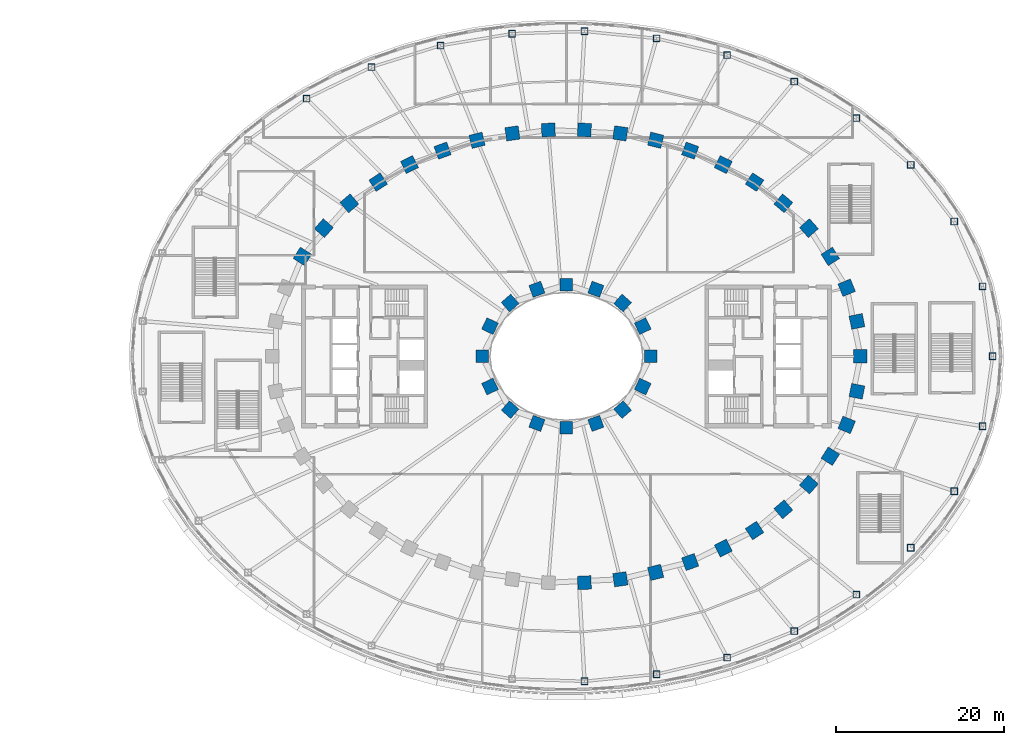
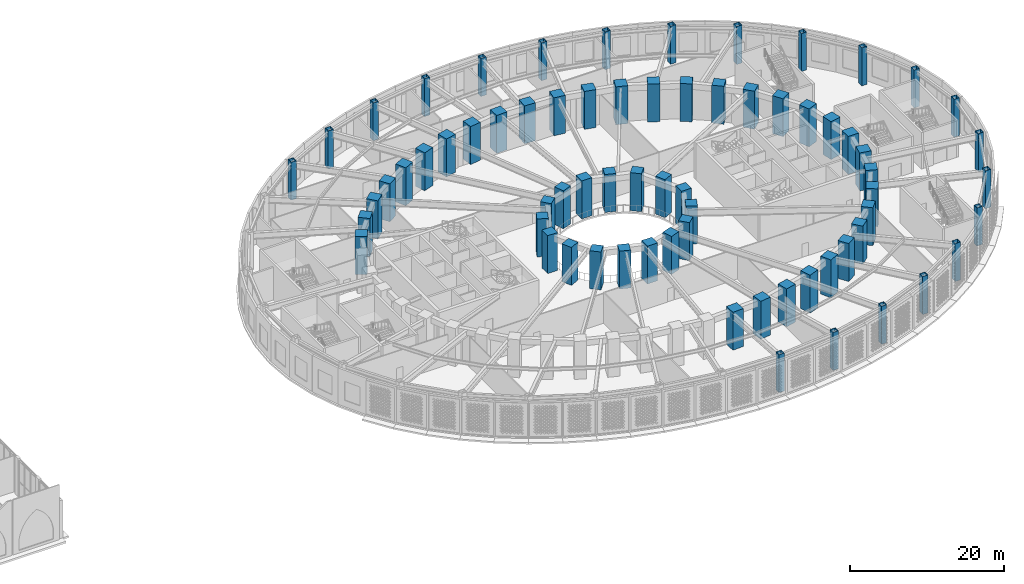
# One storey, part 5 of 74: 69 columns.
"""IFC4 building model written with IfcOpenShell, lengths in metres."""

from ifc_helpers import new_model, si_unit, direction, frame, origin, origin_2d, place, context, subcontext, project, spatial, rectangle, hollow_rectangle, extrude, material, material_profile, profile_set, type_object, element, save


model = new_model("IFC4")

# Units and contexts
model_context = context("Model", 3, precision=1e-05, world=origin(), true_north=direction((0.0, 1.0)))
body_context = subcontext(model_context, "Body", "Model", "MODEL_VIEW")
ifc_project = project(units=[si_unit("LENGTHUNIT", "METRE"), si_unit("AREAUNIT", "SQUARE_METRE"), si_unit("VOLUMEUNIT", "CUBIC_METRE"), si_unit("PLANEANGLEUNIT", "RADIAN"), si_unit("MASSUNIT", "GRAM", prefix="KILO")], contexts=[model_context])

# Site, building, storey
site_placement = place(None, origin())
site = spatial("IfcSite", under=ifc_project, at=site_placement, CompositionType="ELEMENT")
building_placement = place(site_placement, origin())
building = spatial("IfcBuilding", under=site, at=building_placement, Name="Noorbagh Ring Tower", CompositionType="ELEMENT")
storey_placement = place(building_placement, frame((0.0, 0.0, 13.5)))
storey = spatial("IfcBuildingStorey", under=building, at=storey_placement, Name="L02", CompositionType="ELEMENT", Elevation=13.5)

# Columns
ifc_material_1 = material(Name="Steel S355", Category="steel")
ifc_material_profile_1 = material_profile(ifc_material_1, hollow_rectangle(XDim=0.800048828125, YDim=0.800048828125, WallThickness=0.0400390625, at=origin_2d()), Name="BOX800x800x40")
ifc_profile_set_1 = profile_set([ifc_material_profile_1], Name="Steel S355")
column_type_1 = type_object("IfcColumnType", Name="GND-COL-BOX800x800x40", PredefinedType="COLUMN", material=ifc_profile_set_1)
for number, where, z_axis, x_axis, name in (
    (1, (50.646484375, 0.0, 0.0), (0.0, 0.0, 1.0), (1.0, 0.0, 0.0), "L02/col/RP-01"),
    (2, (49.4609375, 8.304443359375, 0.0), (0.0, 0.0, 1.0), (1.0, 0.0, 0.0), "L02/col/RP-02"),
    (3, (46.081298828125, 16.021240234375, 0.0), (0.0, 0.0, 1.0), (1.0, 0.0, 0.0), "L02/col/RP-03"),
    (4, (40.927734375, 22.75, 0.0), (0.0, 0.0, 1.0), (1.0, 0.0, 0.0), "L02/col/RP-04"),
    (5, (34.46484375, 28.306884765625, 0.0), (0.0, 0.0, 1.0), (1.0, 0.0, 0.0), "L02/col/RP-05"),
    (6, (27.0869140625, 32.648193359375, 0.0), (0.0, 0.0, 1.0), (1.0, 0.0, 0.0), "L02/col/RP-06"),
    (7, (19.0966796875, 35.791748046875, 0.0), (0.0, 0.0, 1.0), (1.0, 0.0, 0.0), "L02/col/RP-07"),
    (8, (10.724609375, 37.771240234375, 0.0), (0.0, 0.0, 1.0), (1.0, 0.0, 0.0), "L02/col/RP-08"),
    (9, (2.154541015625, 38.6142578125, 0.0), (0.0, 0.0, 1.0), (1.0, 0.0, 0.0), "L02/col/RP-09"),
    (10, (-6.4541015625, 38.33349609375, 0.0), (0.0, 0.0, 1.0), (1.0, 0.0, 0.0), "L02/col/RP-10"),
    (11, (-14.946044921875, 36.925048828125, 0.0), (0.0, 0.0, 1.0), (1.0, 0.0, 0.0), "L02/col/RP-11"),
    (12, (-23.152587890625, 34.36767578125, 0.0), (0.0, 0.0, 1.0), (1.0, 0.0, 0.0), "L02/col/RP-12"),
    (13, (-30.869384765625, 30.629150390625, 0.0), (0.0, 0.0, 1.0), (1.0, 0.0, 0.0), "L02/col/RP-13"),
    (14, (2.154541015625, -38.6142578125, 0.0), (0.0, 0.0, 1.0), (1.0, 0.0, 0.0), "L02/col/RP-26"),
    (15, (10.724609375, -37.771240234375, 0.0), (0.0, 0.0, 1.0), (1.0, 0.0, 0.0), "L02/col/RP-27"),
    (16, (19.0966796875, -35.791748046875, 0.0), (0.0, 0.0, 1.0), (1.0, 0.0, 0.0), "L02/col/RP-28"),
    (17, (27.0869140625, -32.648193359375, 0.0), (0.0, 0.0, 1.0), (1.0, 0.0, 0.0), "L02/col/RP-29"),
    (18, (34.46484375, -28.306884765625, 0.0), (0.0, 0.0, 1.0), (1.0, 0.0, 0.0), "L02/col/RP-30"),
    (19, (40.927734375, -22.75, 0.0), (0.0, 0.0, 1.0), (1.0, 0.0, 0.0), "L02/col/RP-31"),
    (20, (46.081298828125, -16.021240234375, 0.0), (0.0, 0.0, 1.0), (1.0, 0.0, 0.0), "L02/col/RP-32"),
    (21, (49.4609375, -8.304443359375, 0.0), (0.0, 0.0, 1.0), (1.0, 0.0, 0.0), "L02/col/RP-33"),
):
    element("IfcColumn", number, at=place(storey_placement, frame(where, z_axis=z_axis, x_axis=x_axis)), inside=storey, type_object=column_type_1, Name=name, PredefinedType="COLUMN", context=body_context, shape_type="SweptSolid", body=[
        extrude(hollow_rectangle(XDim=0.800048828125, YDim=0.800048828125, WallThickness=0.0400390625, at=origin_2d()), origin(), (0.0, 0.0, 1.0), 6.0),
    ])
ifc_material_2 = material(Name="Concrete C70/85", Category="concrete")
ifc_material_profile_2 = material_profile(ifc_material_2, rectangle(XDim=1.60009765625, YDim=1.60009765625, at=origin_2d()), Name="RC1600x1600")
ifc_profile_set_2 = profile_set([ifc_material_profile_2], Name="Concrete C70/85")
column_type_2 = type_object("IfcColumnType", Name="STR-COL-RC1600x1600-C70-85", PredefinedType="COLUMN", material=ifc_profile_set_2)
for number, where, z_axis, x_axis, name in (
    (22, (34.944580078125, 0.0, 0.0), (0.0, 0.0, 1.0), (0.0, 1.0, 0.0), "L02/col/R1-01"),
    (23, (34.52685546875, 4.150634765625, 0.0), (0.0, 0.0, 1.0), (-0.19723040178, 0.9803571638, 0.0), "L02/col/R1-02"),
    (24, (33.30517578125, 8.1494140625, 0.0), (0.0, 0.0, 1.0), (-0.378989499959, 0.925400971969, 0.0), "L02/col/R1-03"),
    (25, (31.364990234375, 11.87109375, 0.0), (0.0, 0.0, 1.0), (-0.535190403059, 0.844731455833, 0.0), "L02/col/R1-04"),
    (26, (28.81884765625, 15.23046875, 0.0), (0.0, 0.0, 1.0), (-0.662635642662, 0.748941923699, 0.0), "L02/col/R1-05"),
    (27, (25.78271484375, 18.180419921875, 0.0), (0.0, 0.0, 1.0), (-0.763035199656, 0.646356932419, 0.0), "L02/col/R1-06"),
    (28, (22.362060546875, 20.699951171875, 0.0), (0.0, 0.0, 1.0), (-0.840247639643, 0.542202825586, 0.0), "L02/col/R1-07"),
    (29, (18.646240234375, 22.785400390625, 0.0), (0.0, 0.0, 1.0), (-0.898399080868, 0.439180021741, 0.0), "L02/col/R1-08"),
    (30, (14.70947265625, 24.44091796875, 0.0), (0.0, 0.0, 1.0), (-0.941024726094, 0.338337797003, 0.0), "L02/col/R1-09"),
    (31, (10.61328125, 25.673583984375, 0.0), (0.0, 0.0, 1.0), (-0.970829360981, 0.239771457553, 0.0), "L02/col/R1-10"),
    (32, (6.4091796875, 26.49072265625, 0.0), (0.0, 0.0, 1.0), (-0.989713114048, 0.143066249975, 0.0), "L02/col/R1-11"),
    (33, (2.14306640625, 26.89794921875, 0.0), (0.0, 0.0, 1.0), (-0.998868731212, 0.047552684538, 0.0), "L02/col/R1-12"),
    (34, (-2.14306640625, 26.89794921875, 0.0), (0.0, 0.0, 1.0), (-0.998868731212, -0.047552684538, 0.0), "L02/col/R1-13"),
    (35, (-6.4091796875, 26.49072265625, 0.0), (0.0, 0.0, 1.0), (-0.989713114048, -0.143066249975, 0.0), "L02/col/R1-14"),
    (36, (-10.61328125, 25.673583984375, 0.0), (0.0, 0.0, 1.0), (-0.970829360981, -0.239771457553, 0.0), "L02/col/R1-15"),
    (37, (-14.70947265625, 24.44091796875, 0.0), (0.0, 0.0, 1.0), (-0.941024726094, -0.338337797003, 0.0), "L02/col/R1-16"),
    (38, (-18.646240234375, 22.785400390625, 0.0), (0.0, 0.0, 1.0), (-0.898399080868, -0.439180021741, 0.0), "L02/col/R1-17"),
    (39, (-22.362060546875, 20.699951171875, 0.0), (0.0, 0.0, 1.0), (-0.840247639643, -0.542202825586, 0.0), "L02/col/R1-18"),
    (40, (-25.78271484375, 18.180419921875, 0.0), (0.0, 0.0, 1.0), (-0.763035199656, -0.646356932419, 0.0), "L02/col/R1-19"),
    (41, (-28.81884765625, 15.23046875, 0.0), (0.0, 0.0, 1.0), (-0.662635642662, -0.748941923699, 0.0), "L02/col/R1-20"),
    (42, (-31.364990234375, 11.87109375, 0.0), (0.0, 0.0, 1.0), (-0.535190403059, -0.844731455833, 0.0), "L02/col/R1-21"),
    (43, (2.14306640625, -26.89794921875, 0.0), (0.0, 0.0, 1.0), (0.998868731212, 0.047552684538, 0.0), "L02/col/R1-36"),
    (44, (6.4091796875, -26.49072265625, 0.0), (0.0, 0.0, 1.0), (0.989713114048, 0.143066249975, 0.0), "L02/col/R1-37"),
    (45, (10.61328125, -25.673583984375, 0.0), (0.0, 0.0, 1.0), (0.970829360981, 0.239771457553, 0.0), "L02/col/R1-38"),
    (46, (14.70947265625, -24.44091796875, 0.0), (0.0, 0.0, 1.0), (0.941024726094, 0.338337797003, 0.0), "L02/col/R1-39"),
    (47, (18.646240234375, -22.785400390625, 0.0), (0.0, 0.0, 1.0), (0.898399080868, 0.439180021741, 0.0), "L02/col/R1-40"),
    (48, (22.362060546875, -20.699951171875, 0.0), (0.0, 0.0, 1.0), (0.840247639643, 0.542202825586, 0.0), "L02/col/R1-41"),
    (49, (25.78271484375, -18.180419921875, 0.0), (0.0, 0.0, 1.0), (0.763035199656, 0.646356932419, 0.0), "L02/col/R1-42"),
    (50, (28.81884765625, -15.23046875, 0.0), (0.0, 0.0, 1.0), (0.662635642662, 0.748941923699, 0.0), "L02/col/R1-43"),
    (51, (31.364990234375, -11.87109375, 0.0), (0.0, 0.0, 1.0), (0.535190403059, 0.844731455833, 0.0), "L02/col/R1-44"),
    (52, (33.30517578125, -8.1494140625, 0.0), (0.0, 0.0, 1.0), (0.378989499959, 0.925400971969, 0.0), "L02/col/R1-45"),
    (53, (34.52685546875, -4.150634765625, 0.0), (0.0, 0.0, 1.0), (0.19723040178, 0.9803571638, 0.0), "L02/col/R1-46"),
):
    element("IfcColumn", number, at=place(storey_placement, frame(where, z_axis=z_axis, x_axis=x_axis)), inside=storey, type_object=column_type_2, Name=name, PredefinedType="COLUMN", context=body_context, shape_type="SweptSolid", body=[
        extrude(rectangle(XDim=1.60009765625, YDim=1.60009765625, at=origin_2d()), origin(), (0.0, 0.0, 1.0), 6.0),
    ])
ifc_material_3 = material(Name="Concrete C70/85", Category="concrete")
ifc_material_profile_3 = material_profile(ifc_material_3, rectangle(XDim=1.5, YDim=1.5, at=origin_2d()), Name="RC1500x1500")
ifc_profile_set_3 = profile_set([ifc_material_profile_3], Name="Concrete C70/85")
column_type_3 = type_object("IfcColumnType", Name="STR-ICOL-RC1500x1500-C70-85", PredefinedType="COLUMN", material=ifc_profile_set_3)
for number, where, z_axis, x_axis, name in (
    (54, (10.00830078125, 0.0, 0.0), (0.0, 0.0, 1.0), (0.0, 1.0, 0.0), "L02/col/IR2-W01"),
    (55, (9.07568359375, 3.58837890625, 0.0), (0.0, 0.0, 1.0), (-0.428666979171, 0.903462573087, 0.0), "L02/col/IR2-W03"),
    (56, (6.68212890625, 6.333740234375, 0.0), (0.0, 0.0, 1.0), (-0.75102249095, 0.660276622399, 0.0), "L02/col/IR2-W05"),
    (57, (3.5009765625, 7.967041015625, 0.0), (0.0, 0.0, 1.0), (-0.939019578916, 0.343863679984, 0.0), "L02/col/IR2-W07"),
    (58, (0.0, 8.5029296875, 0.0), (0.0, 0.0, 1.0), (-1.0, 0.0, 0.0), "L02/col/IR2-W09"),
    (59, (-3.5009765625, 7.967041015625, 0.0), (0.0, 0.0, 1.0), (-0.939019578916, -0.343863679984, 0.0), "L02/col/IR2-W11"),
    (60, (-6.68212890625, 6.333740234375, 0.0), (0.0, 0.0, 1.0), (-0.75102249095, -0.660276622399, 0.0), "L02/col/IR2-W13"),
    (61, (-9.07568359375, 3.58837890625, 0.0), (0.0, 0.0, 1.0), (-0.428666979171, -0.903462573087, 0.0), "L02/col/IR2-W15"),
    (62, (-10.00830078125, 0.0, 0.0), (0.0, 0.0, 1.0), (0.0, -1.0, 0.0), "L02/col/IR2-W17"),
    (63, (-9.07568359375, -3.58837890625, 0.0), (0.0, 0.0, 1.0), (0.428666979171, -0.903462573087, 0.0), "L02/col/IR2-W19"),
    (64, (-6.68212890625, -6.333740234375, 0.0), (0.0, 0.0, 1.0), (0.75102249095, -0.660276622399, 0.0), "L02/col/IR2-W21"),
    (65, (-3.5009765625, -7.967041015625, 0.0), (0.0, 0.0, 1.0), (0.939019578916, -0.343863679984, 0.0), "L02/col/IR2-W23"),
    (66, (0.0, -8.5029296875, 0.0), (0.0, 0.0, 1.0), (1.0, 0.0, 0.0), "L02/col/IR2-W25"),
    (67, (3.5009765625, -7.967041015625, 0.0), (0.0, 0.0, 1.0), (0.939019578916, 0.343863679984, 0.0), "L02/col/IR2-W27"),
    (68, (6.68212890625, -6.333740234375, 0.0), (0.0, 0.0, 1.0), (0.75102249095, 0.660276622399, 0.0), "L02/col/IR2-W29"),
    (69, (9.07568359375, -3.58837890625, 0.0), (0.0, 0.0, 1.0), (0.428666979171, 0.903462573087, 0.0), "L02/col/IR2-W31"),
):
    element("IfcColumn", number, at=place(storey_placement, frame(where, z_axis=z_axis, x_axis=x_axis)), inside=storey, type_object=column_type_3, Name=name, PredefinedType="COLUMN", context=body_context, shape_type="SweptSolid", body=[
        extrude(rectangle(XDim=1.5, YDim=1.5, at=origin_2d()), origin(), (0.0, 0.0, 1.0), 6.0),
    ])

save(model, "model.ifc")
